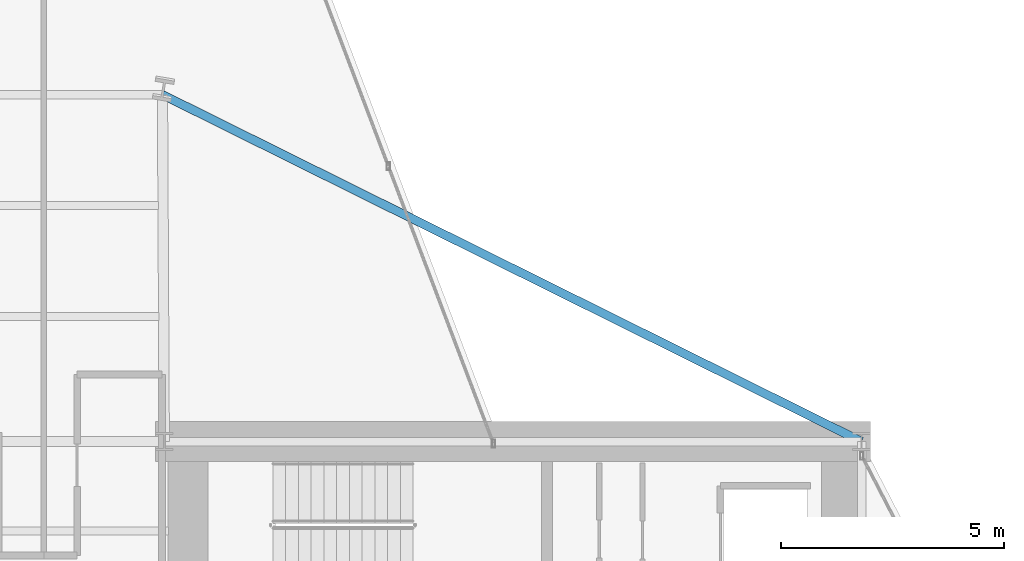
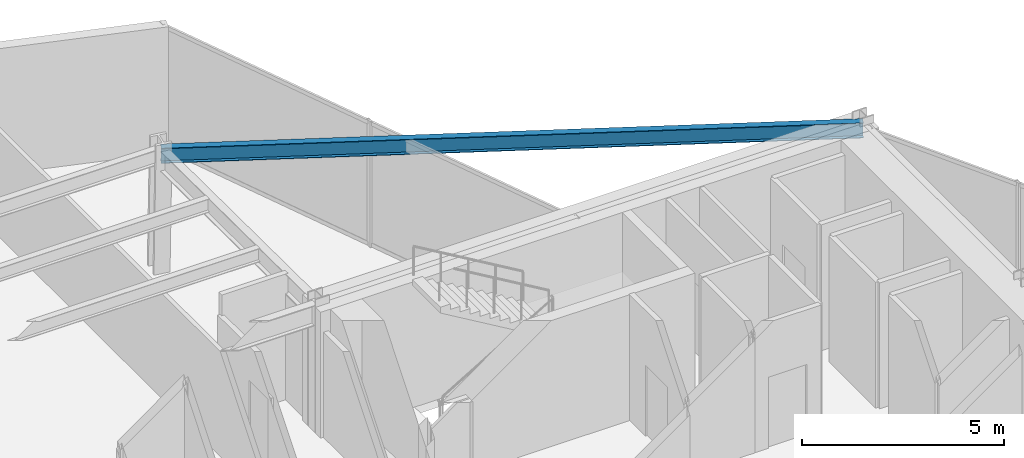
# One storey, part 21 of 28: 1 beam.
"""IFC4 building model written with IfcOpenShell, lengths in metres."""

from ifc_helpers import new_model, si_unit, direction, frame, origin, origin_2d, place, context, subcontext, project, spatial, i_section, extrude, material, material_profile, profile_set, type_object, element, save


model = new_model("IFC4")

# Units and contexts
model_context = context("Model", 3, precision=1e-05, world=origin(), true_north=direction((0.0, 1.0)))
body_context = subcontext(model_context, "Body", "Model", "MODEL_VIEW")
ifc_project = project(units=[si_unit("LENGTHUNIT", "METRE"), si_unit("AREAUNIT", "SQUARE_METRE"), si_unit("VOLUMEUNIT", "CUBIC_METRE"), si_unit("PLANEANGLEUNIT", "RADIAN"), si_unit("MASSUNIT", "GRAM", prefix="KILO")], contexts=[model_context])

# Site, building, storey
site_placement = place(None, origin())
site = spatial("IfcSite", under=ifc_project, at=site_placement, CompositionType="ELEMENT")
building_placement = place(site_placement, origin())
building = spatial("IfcBuilding", under=site, at=building_placement, Name="Veymaron Broadcast Tower", CompositionType="ELEMENT")
storey_placement = place(building_placement, frame((0.0, 0.0, 45.89990234375)))
storey = spatial("IfcBuildingStorey", under=building, at=storey_placement, Name="L09", CompositionType="ELEMENT", Elevation=45.89990234375)

# Beam
ifc_material = material(Name="Structural steel ASTM A992 Gr 50", Category="steel")
ifc_material_profile = material_profile(ifc_material, i_section(OverallWidth=0.19091796875, OverallDepth=0.4599609375, WebThickness=0.010009765625, FlangeThickness=0.01611328125, at=origin_2d()), Name="W460X82")
ifc_profile_set = profile_set([ifc_material_profile], Name="Structural steel ASTM A992 Gr 50")
beam_type = type_object("IfcBeamType", Name="BM-SP1", PredefinedType="SPANDREL", material=ifc_profile_set)
beam_placement = place(storey_placement, frame((54.60009765625, 32.0, 3.580078125), z_axis=(-0.895798915405, 0.444459563019, 0.0), x_axis=(-0.444459563019, -0.895798915405, 0.0)))
element("IfcBeam", 1, at=beam_placement, inside=storey, type_object=beam_type, Name="L09 primary structural floor girder", PredefinedType="SPANDREL", context=body_context, shape_type="SweptSolid", body=[
    extrude(i_section(OverallWidth=0.19091796875, OverallDepth=0.4599609375, WebThickness=0.010009765625, FlangeThickness=0.01611328125, at=origin_2d()), origin(), (0.0, 0.0, 1.0), 17.45947265625),
])

save(model, "model.ifc")
